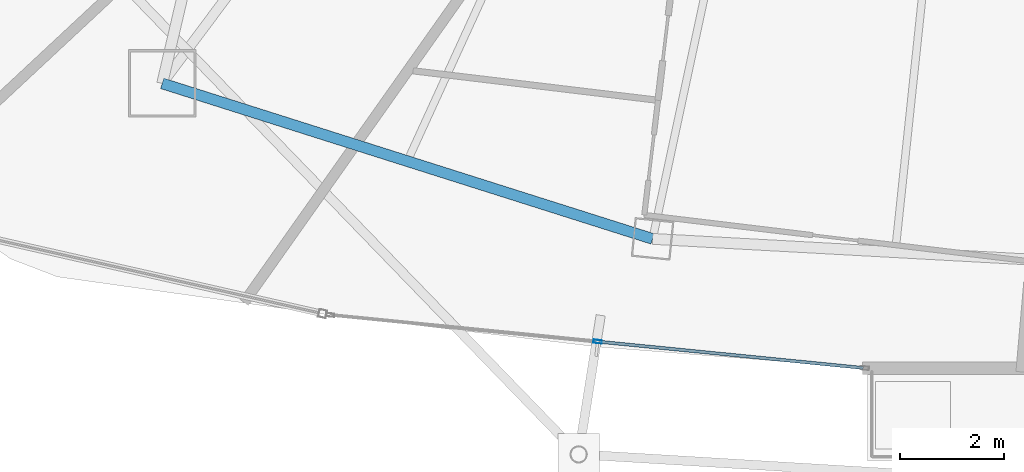
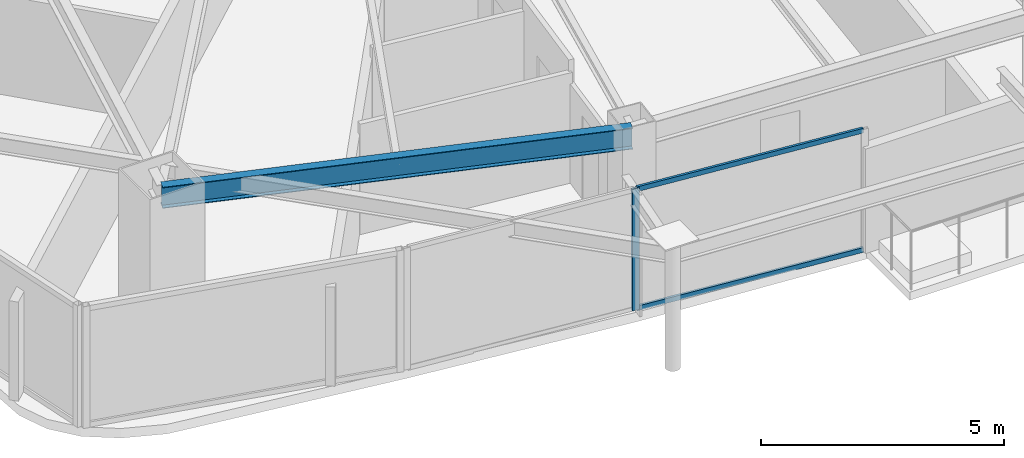
# One storey, part 4 of 32: 3 members, 1 beam, 1 element without a shape of its own.
"""IFC4 building model written with IfcOpenShell, lengths in metres."""

from ifc_helpers import new_model, si_unit, direction, frame, origin, origin_2d, place, context, subcontext, project, spatial, hollow_rectangle, i_section, extrude, material, layer, layer_set, material_profile, profile_set, type_object, element, aggregate, save


model = new_model("IFC4")

# Units and contexts
model_context = context("Model", 3, precision=1e-05, world=origin(), true_north=direction((0.0, 1.0)))
body_context = subcontext(model_context, "Body", "Model", "MODEL_VIEW")
ifc_project = project(units=[si_unit("LENGTHUNIT", "METRE"), si_unit("AREAUNIT", "SQUARE_METRE"), si_unit("VOLUMEUNIT", "CUBIC_METRE"), si_unit("PLANEANGLEUNIT", "RADIAN"), si_unit("MASSUNIT", "GRAM", prefix="KILO")], contexts=[model_context])

# Site, building, storey
site_placement = place(None, origin())
site = spatial("IfcSite", under=ifc_project, at=site_placement, CompositionType="ELEMENT")
building_placement = place(site_placement, origin())
building = spatial("IfcBuilding", under=site, at=building_placement, Name="Orvanel Arch Residences", CompositionType="ELEMENT")
storey_placement = place(building_placement, frame((0.0, 0.0, 222.800048828125)))
storey = spatial("IfcBuildingStorey", under=building, at=storey_placement, Name="L63", CompositionType="ELEMENT", Elevation=222.800048828125)

# Curtain wall, member
ifc_material_1 = material(Name="Bronze-anodised aluminium AA6063-T6", Category="aluminium")
ifc_layer = layer(ifc_material_1, 0.175048828125)
ifc_layer_set = layer_set([ifc_layer], Name="Bronze-anodised aluminium AA6063-T6")
curtain_wall_type = type_object("IfcCurtainWallType", Name="CW4-HI-SYS", PredefinedType="NOTDEFINED", material=ifc_layer_set)
curtain_wall_placement = place(storey_placement, origin())
curtain_wall = element("IfcCurtainWall", 1, at=curtain_wall_placement, inside=storey, type_object=curtain_wall_type, Name="L63 CW4-HI-SYS Unitised Curtain Wall", PredefinedType="NOTDEFINED")
ifc_material_profile_1 = material_profile(ifc_material_1, hollow_rectangle(XDim=0.06494140625, YDim=0.159912109375, WallThickness=0.00390625, at=origin_2d()), Name="ALU160x65x4")
ifc_profile_set_1 = profile_set([ifc_material_profile_1], Name="Bronze-anodised aluminium AA6063-T6")
member_type_1 = type_object("IfcMemberType", Name="MUL-160x65", PredefinedType="MULLION", material=ifc_profile_set_1)
member_1_placement = place(storey_placement, frame((22.589111328125, 5.3759765625, 0.0), z_axis=(0.0, 0.0, 1.0), x_axis=(0.098838628636, 0.995103474765, 0.0)))
member_1 = element("IfcMember", 2, at=member_1_placement, type_object=member_type_1, Name="CW-S4 mullion 2", PredefinedType="MULLION", context=body_context, shape_type="SweptSolid", body=[
    extrude(hollow_rectangle(XDim=0.06494140625, YDim=0.159912109375, WallThickness=0.00390625, at=origin_2d()), origin(), (0.0, 0.0, 1.0), 3.06005859375),
])

# Beam
ifc_material_2 = material(Name="Structural steel AS/NZS 3679.1 Grade 300 (300 MPa)", Category="steel")
ifc_material_profile_2 = material_profile(ifc_material_2, i_section(OverallWidth=0.208984375, OverallDepth=0.532958984375, WebThickness=0.01025390625, FlangeThickness=0.015625, at=origin_2d()), Name="530UB92.4")
ifc_profile_set_2 = profile_set([ifc_material_profile_2], Name="Structural steel AS/NZS 3679.1 Grade 300 (300 MPa)")
beam_type = type_object("IfcBeamType", Name="SP-530UB", PredefinedType="SPANDREL", material=ifc_profile_set_2)
beam_placement = place(storey_placement, frame((14.198974609375, 10.35107421875, 2.7939453125), z_axis=(0.953237386592, -0.302222574941, 0.0), x_axis=(0.302222574941, 0.953237386592, 0.0)))
element("IfcBeam", 3, at=beam_placement, inside=storey, type_object=beam_type, Name="L63 Perimeter Spandrel Beam 02", PredefinedType="SPANDREL", context=body_context, shape_type="SweptSolid", body=[
    extrude(i_section(OverallWidth=0.208984375, OverallDepth=0.532958984375, WebThickness=0.01025390625, FlangeThickness=0.015625, at=origin_2d()), origin(), (0.0, 0.0, 1.0), 9.91357421875),
])

# Member
ifc_material_profile_3 = material_profile(ifc_material_1, hollow_rectangle(XDim=0.06005859375, YDim=0.1201171875, WallThickness=0.00341796875, at=origin_2d()), Name="ALU120x60x3.5")
ifc_profile_set_3 = profile_set([ifc_material_profile_3], Name="Bronze-anodised aluminium AA6063-T6")
member_type_2 = type_object("IfcMemberType", Name="TRN-120x60", PredefinedType="USERDEFINED", material=ifc_profile_set_3)
member_2_placement = place(storey_placement, frame((22.621337890625, 5.372802734375, 0.030029296875), z_axis=(0.995103157741, -0.098841820371, 0.0), x_axis=(0.098841820371, 0.995103157741, 0.0)))
member_2 = element("IfcMember", 4, at=member_2_placement, type_object=member_type_2, Name="CW-S4 transom 2.1", ObjectType="TRANSOM", PredefinedType="USERDEFINED", context=body_context, shape_type="SweptSolid", body=[
    extrude(hollow_rectangle(XDim=0.06005859375, YDim=0.1201171875, WallThickness=0.00341796875, at=origin_2d()), origin(), (0.0, 0.0, 1.0), 5.113037109375),
])

member_3_placement = place(storey_placement, frame((22.621337890625, 5.372802734375, 3.030029296875), z_axis=(0.995103157741, -0.098841820371, 0.0), x_axis=(0.098841820371, 0.995103157741, 0.0)))
member_3 = element("IfcMember", 5, at=member_3_placement, type_object=member_type_2, Name="CW-S4 transom 2.2", ObjectType="TRANSOM", PredefinedType="USERDEFINED", context=body_context, shape_type="SweptSolid", body=[
    extrude(hollow_rectangle(XDim=0.06005859375, YDim=0.1201171875, WallThickness=0.00341796875, at=origin_2d()), origin(), (0.0, 0.0, 1.0), 5.113037109375),
])

aggregate(curtain_wall, [member_1, member_2, member_3])

save(model, "model.ifc")
